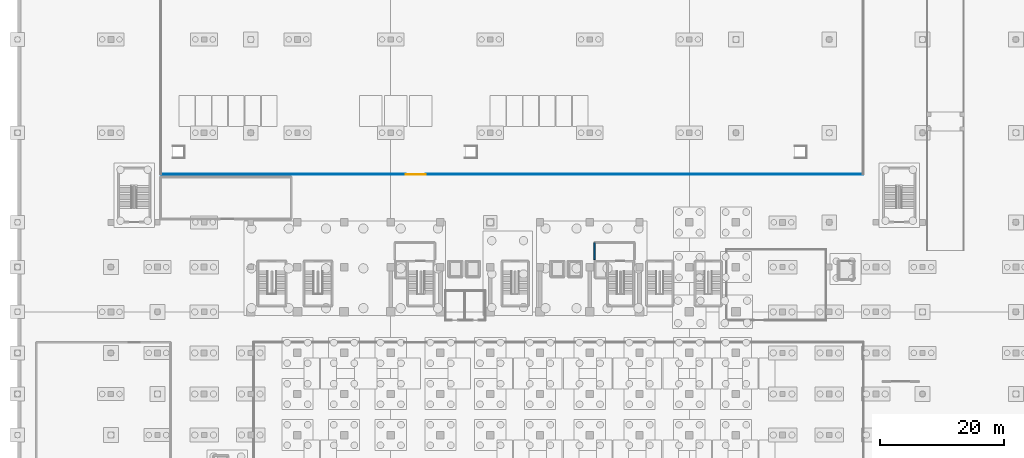
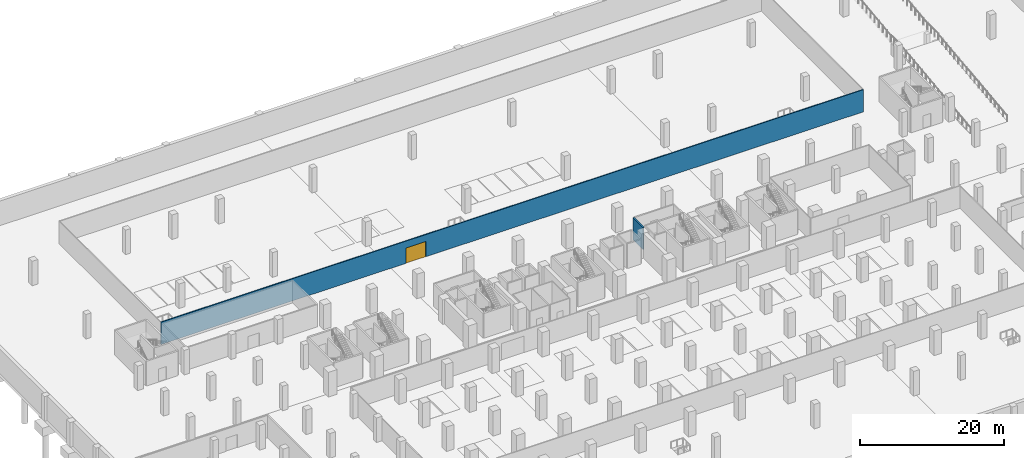
# One storey, part 13 of 26: 2 walls, 1 door, 1 opening.
"""IFC4 building model written with IfcOpenShell, lengths in metres."""

from ifc_helpers import new_model, si_unit, direction, frame, frame_2d, origin, place, context, subcontext, project, spatial, rectangle, extrude, material, layer, layer_set, type_object, element, fill, save


model = new_model("IFC4")

# Units and contexts
model_context = context("Model", 3, precision=1e-05, world=origin(), true_north=direction((0.0, 1.0)))
body_context = subcontext(model_context, "Body", "Model", "MODEL_VIEW")
ifc_project = project(units=[si_unit("LENGTHUNIT", "METRE"), si_unit("AREAUNIT", "SQUARE_METRE"), si_unit("VOLUMEUNIT", "CUBIC_METRE"), si_unit("PLANEANGLEUNIT", "RADIAN"), si_unit("MASSUNIT", "GRAM", prefix="KILO")], contexts=[model_context])

# Site, building, storey
site_placement = place(None, origin())
site = spatial("IfcSite", under=ifc_project, at=site_placement, CompositionType="ELEMENT")
building_placement = place(site_placement, origin())
building = spatial("IfcBuilding", under=site, at=building_placement, Name="Akrevak Sports Hall", CompositionType="ELEMENT")
storey_placement = place(building_placement, frame((0.0, 0.0, -9.0)))
storey = spatial("IfcBuildingStorey", under=building, at=storey_placement, Name="B02", CompositionType="ELEMENT", Elevation=-9.0)

# Wall, opening, door
ifc_material_1 = material(Name="Double Stud Acoustic Gypsum Partition", Category="gypsum")
ifc_layer_1 = layer(ifc_material_1, 0.14990234375, Name="Double Stud Acoustic Gypsum Partition")
ifc_layer_set_1 = layer_set([ifc_layer_1], Name="Double Stud Acoustic Gypsum Partition")
wall_type_1 = type_object("IfcWallType", Name="ARC-WL-PRT-150", PredefinedType="PARTITIONING", material=ifc_layer_set_1)
wall_1_placement = place(storey_placement, frame((23.0, 77.300048828125, 0.0), z_axis=(0.0, 0.0, 1.0), x_axis=(1.0, 0.0, 0.0)))
wall_1 = element("IfcWall", 1, at=wall_1_placement, inside=storey, type_object=wall_type_1, Name="Interior Partition Underground Car Park Hall North B02 (S)", PredefinedType="PARTITIONING", context=body_context, shape_type="SweptSolid", body=[
    extrude(rectangle(XDim=113.0, YDim=0.14990234375, at=frame_2d((56.5, 0.0))), origin(), (0.0, 0.0, 1.0), 3.780029296875),
])
opening_placement = place(wall_1_placement, frame((39.39990234375, 0.0, 0.0)))
opening = element("IfcOpeningElement", 2, at=opening_placement, cuts=wall_1, Name="Opening GT-02", PredefinedType="OPENING", context=body_context, shape_type="SweptSolid", body=[
    extrude(rectangle(XDim=3.199951171875, YDim=2.60009765625, at=frame_2d((1.60009765625, 1.300048828125))), frame((0.0, 0.0869140625, 0.0), z_axis=(0.0, -1.0, 0.0), x_axis=(1.0, 0.0, 0.0)), (0.0, 0.0, 1.0), 0.173828125),
])
ifc_material_2 = material(Name="Galvanized Roller Shutter Steel", Category="steel")
door_type = type_object("IfcDoorType", Name="ARC-DR-GATE-320x260", OperationType="ROLLINGUP", PredefinedType="GATE", material=ifc_material_2)
door_placement = place(opening_placement, origin())
door = element("IfcDoor", 3, at=door_placement, inside=storey, type_object=door_type, Name="Door to Underground Car Park Hall North B02", OperationType="ROLLINGUP", OverallHeight=2.60009765625, OverallWidth=3.199951171875, PredefinedType="GATE", context=body_context, shape_type="SweptSolid", body=[
    extrude(rectangle(XDim=3.199951171875, YDim=2.60009765625, at=frame_2d((1.60009765625, 1.300048828125))), frame((0.0, 0.02490234375, 0.0), z_axis=(0.0, -1.0, 0.0), x_axis=(1.0, 0.0, 0.0)), (0.0, 0.0, 1.0), 0.050048828125),
])
fill(opening, door)

# Wall
ifc_material_3 = material(Name="Concrete C40/50", Category="concrete")
ifc_layer_2 = layer(ifc_material_3, 0.219970703125, Name="Concrete C40/50")
ifc_layer_set_2 = layer_set([ifc_layer_2], Name="Concrete C40/50")
wall_type_2 = type_object("IfcWallType", Name="ARC-WL-PRT-220", PredefinedType="PARTITIONING", material=ifc_layer_set_2)
wall_2_placement = place(storey_placement, frame((92.75, 63.60009765625, 0.0), z_axis=(0.0, 0.0, 1.0), x_axis=(0.0, 1.0, 0.0)))
element("IfcWall", 4, at=wall_2_placement, inside=storey, type_object=wall_type_2, Name="Interior Partition Firefighting Lobby East B02 (W)", PredefinedType="PARTITIONING", context=body_context, shape_type="SweptSolid", body=[
    extrude(rectangle(XDim=2.75, YDim=0.219970703125, at=frame_2d((1.375, 0.0))), origin(), (0.0, 0.0, 1.0), 3.780029296875),
])

save(model, "model.ifc")
